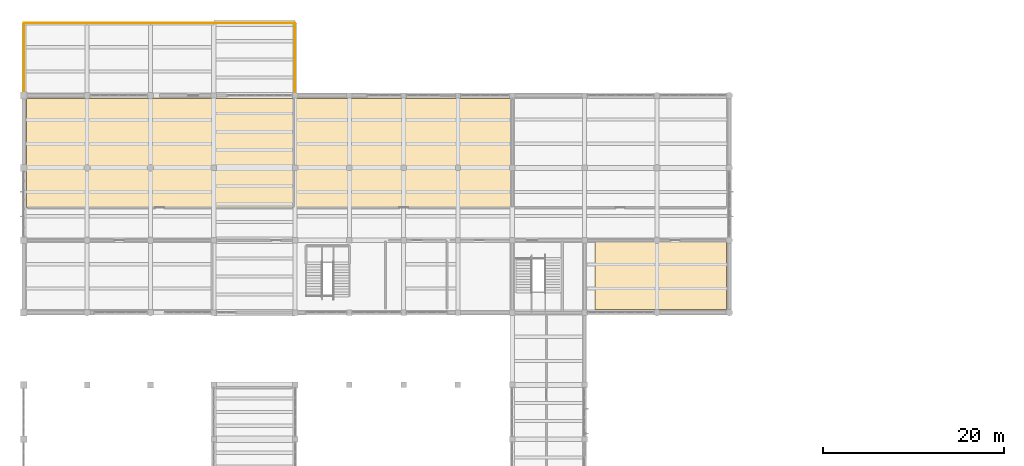
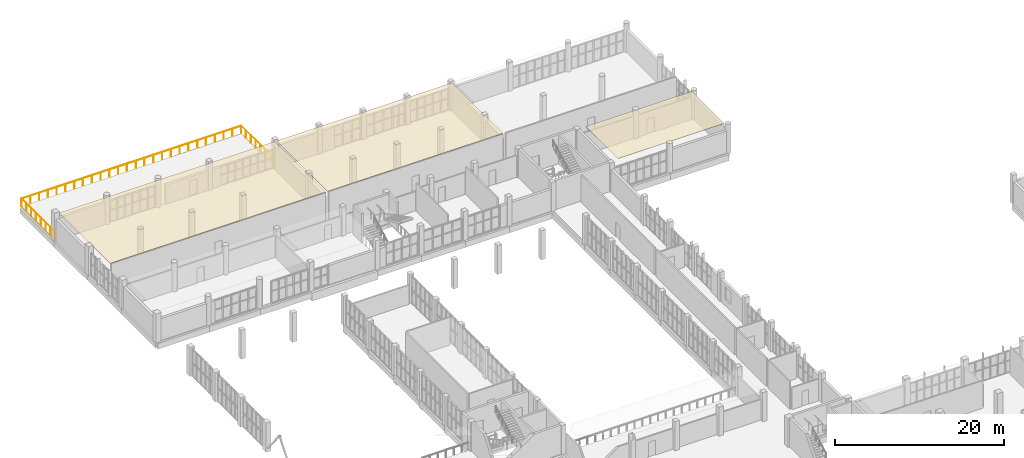
# One storey, part 83 of 85: 3 coverings, 1 railing.
"""IFC4 building model written with IfcOpenShell, lengths in metres."""

from ifc_helpers import new_model, si_unit, direction, frame, origin, origin_2d, place, context, subcontext, project, spatial, polyline, circle, outline, extrude, material, layer, layer_set, type_object, element, save


model = new_model("IFC4")

# Units and contexts
model_context = context("Model", 3, precision=1e-05, world=origin(), true_north=direction((0.0, 1.0)))
body_context = subcontext(model_context, "Body", "Model", "MODEL_VIEW")
ifc_project = project(units=[si_unit("LENGTHUNIT", "METRE"), si_unit("AREAUNIT", "SQUARE_METRE"), si_unit("VOLUMEUNIT", "CUBIC_METRE"), si_unit("PLANEANGLEUNIT", "RADIAN"), si_unit("MASSUNIT", "GRAM", prefix="KILO")], contexts=[model_context])

# Site, building, storey
site_placement = place(None, origin())
site = spatial("IfcSite", under=ifc_project, at=site_placement, CompositionType="ELEMENT")
building_placement = place(site_placement, origin())
building = spatial("IfcBuilding", under=site, at=building_placement, Name="Solvane Community Centre", CompositionType="ELEMENT")
storey_placement = place(building_placement, frame((0.0, 0.0, 5.39990234375)))
storey = spatial("IfcBuildingStorey", under=building, at=storey_placement, Name="L01", CompositionType="ELEMENT", Elevation=5.39990234375)

# Coverings
ifc_material_1 = material(Name="Acoustic timber slat ceiling", Category="wood")
ifc_layer = layer(ifc_material_1, 0.0400390625)
ifc_layer_set = layer_set([ifc_layer], Name="Acoustic timber slat ceiling")
covering_type = type_object("IfcCoveringType", Name="Acoustic Timber Slat Suspended Ceiling", PredefinedType="CEILING", material=ifc_layer_set)
covering_1_placement = place(storey_placement, frame((0.0, 0.0, 3.955078125)))
element("IfcCovering", 1, at=covering_1_placement, inside=storey, type_object=covering_type, Name="Acoustic Ceiling L01-38", PredefinedType="CEILING", context=body_context, shape_type="SweptSolid", body=[
    extrude(outline(polyline([(83.679931640625, 93.97998046875), (83.679931640625, 86.320068359375), (69.159912109375, 86.320068359375), (69.159912109375, 93.97998046875), (83.679931640625, 93.97998046875)])), origin(), (0.0, 0.0, 1.0), 0.0400390625),
])
covering_2_placement = place(storey_placement, frame((0.0, 0.0, 3.955078125)))
element("IfcCovering", 2, at=covering_2_placement, inside=storey, type_object=covering_type, Name="Acoustic Ceiling L01-39", PredefinedType="CEILING", context=body_context, shape_type="SweptSolid", body=[
    extrude(outline(polyline([(6.320068359375, 97.6201171875), (6.320068359375, 109.679931640625), (35.780029296875, 109.679931640625), (35.780029296875, 97.6201171875), (6.320068359375, 97.6201171875)])), origin(), (0.0, 0.0, 1.0), 0.0400390625),
])
covering_3_placement = place(storey_placement, frame((0.0, 0.0, 3.955078125)))
element("IfcCovering", 3, at=covering_3_placement, inside=storey, type_object=covering_type, Name="Acoustic Ceiling L01-40", PredefinedType="CEILING", context=body_context, shape_type="SweptSolid", body=[
    extrude(outline(polyline([(36.02001953125, 97.6201171875), (36.02001953125, 109.679931640625), (59.97998046875, 109.679931640625), (59.97998046875, 97.6201171875), (36.02001953125, 97.6201171875)])), origin(), (0.0, 0.0, 1.0), 0.0400390625),
])

# Railing
ifc_material_2 = material(Name="Anodised bronze aluminium AW-6063 T6", Category="aluminium")
railing_type = type_object("IfcRailingType", Name="Terrace Art Deco Guard Balustrade 1150mm", PredefinedType="BALUSTRADE", material=ifc_material_2)
railing_placement = place(storey_placement, frame((6.0, 110.0, 0.0)))
element("IfcRailing", 4, at=railing_placement, inside=storey, type_object=railing_type, Name="Terrace Guard GRD-TER-001", PredefinedType="BALUSTRADE", context=body_context, shape_type="SweptSolid", body=[
    extrude(circle(Radius=0.02392578125, at=origin_2d()), frame((0.0, 0.0, 1.1259765625), z_axis=(0.0, 1.0, 0.0), x_axis=(-1.0, 0.0, 0.0)), (0.0, 0.0, 1.0), 8.0),
    extrude(circle(Radius=0.02392578125, at=origin_2d()), frame((0.0, 8.0, 1.1259765625), z_axis=(1.0, 0.0, 0.0), x_axis=(0.0, 1.0, 0.0)), (0.0, 0.0, 1.0), 30.0),
    extrude(circle(Radius=0.02392578125, at=origin_2d()), frame((30.0, 8.0, 1.1259765625), z_axis=(0.0, -1.0, 0.0), x_axis=(1.0, 0.0, 0.0)), (0.0, 0.0, 1.0), 8.0),
    extrude(circle(Radius=0.02099609375, at=origin_2d()), origin(), (0.0, 0.0, 1.0), 1.101806640625),
    extrude(circle(Radius=0.02099609375, at=origin_2d()), frame((0.0, 1.142822265625, 0.0)), (0.0, 0.0, 1.0), 1.101806640625),
    extrude(circle(Radius=0.02099609375, at=origin_2d()), frame((0.0, 2.28564453125, 0.0)), (0.0, 0.0, 1.0), 1.101806640625),
    extrude(circle(Radius=0.02099609375, at=origin_2d()), frame((0.0, 3.428466796875, 0.0)), (0.0, 0.0, 1.0), 1.101806640625),
    extrude(circle(Radius=0.02099609375, at=origin_2d()), frame((0.0, 4.571533203125, 0.0)), (0.0, 0.0, 1.0), 1.101806640625),
    extrude(circle(Radius=0.02099609375, at=origin_2d()), frame((0.0, 5.71435546875, 0.0)), (0.0, 0.0, 1.0), 1.101806640625),
    extrude(circle(Radius=0.02099609375, at=origin_2d()), frame((0.0, 6.857177734375, 0.0)), (0.0, 0.0, 1.0), 1.101806640625),
    extrude(circle(Radius=0.02099609375, at=origin_2d()), frame((0.0, 8.0, 0.0)), (0.0, 0.0, 1.0), 1.101806640625),
    extrude(circle(Radius=0.02099609375, at=origin_2d()), frame((1.199951171875, 8.0, 0.0)), (0.0, 0.0, 1.0), 1.101806640625),
    extrude(circle(Radius=0.02099609375, at=origin_2d()), frame((2.39990234375, 8.0, 0.0)), (0.0, 0.0, 1.0), 1.101806640625),
    extrude(circle(Radius=0.02099609375, at=origin_2d()), frame((3.60009765625, 8.0, 0.0)), (0.0, 0.0, 1.0), 1.101806640625),
    extrude(circle(Radius=0.02099609375, at=origin_2d()), frame((4.800048828125, 8.0, 0.0)), (0.0, 0.0, 1.0), 1.101806640625),
    extrude(circle(Radius=0.02099609375, at=origin_2d()), frame((6.0, 8.0, 0.0)), (0.0, 0.0, 1.0), 1.101806640625),
    extrude(circle(Radius=0.02099609375, at=origin_2d()), frame((7.199951171875, 8.0, 0.0)), (0.0, 0.0, 1.0), 1.101806640625),
    extrude(circle(Radius=0.02099609375, at=origin_2d()), frame((8.39990234375, 8.0, 0.0)), (0.0, 0.0, 1.0), 1.101806640625),
    extrude(circle(Radius=0.02099609375, at=origin_2d()), frame((9.60009765625, 8.0, 0.0)), (0.0, 0.0, 1.0), 1.101806640625),
    extrude(circle(Radius=0.02099609375, at=origin_2d()), frame((10.800048828125, 8.0, 0.0)), (0.0, 0.0, 1.0), 1.101806640625),
    extrude(circle(Radius=0.02099609375, at=origin_2d()), frame((12.0, 8.0, 0.0)), (0.0, 0.0, 1.0), 1.101806640625),
    extrude(circle(Radius=0.02099609375, at=origin_2d()), frame((13.199951171875, 8.0, 0.0)), (0.0, 0.0, 1.0), 1.101806640625),
    extrude(circle(Radius=0.02099609375, at=origin_2d()), frame((14.39990234375, 8.0, 0.0)), (0.0, 0.0, 1.0), 1.101806640625),
    extrude(circle(Radius=0.02099609375, at=origin_2d()), frame((15.60009765625, 8.0, 0.0)), (0.0, 0.0, 1.0), 1.101806640625),
    extrude(circle(Radius=0.02099609375, at=origin_2d()), frame((16.800048828125, 8.0, 0.0)), (0.0, 0.0, 1.0), 1.101806640625),
    extrude(circle(Radius=0.02099609375, at=origin_2d()), frame((18.0, 8.0, 0.0)), (0.0, 0.0, 1.0), 1.101806640625),
    extrude(circle(Radius=0.02099609375, at=origin_2d()), frame((19.199951171875, 8.0, 0.0)), (0.0, 0.0, 1.0), 1.101806640625),
    extrude(circle(Radius=0.02099609375, at=origin_2d()), frame((20.39990234375, 8.0, 0.0)), (0.0, 0.0, 1.0), 1.101806640625),
    extrude(circle(Radius=0.02099609375, at=origin_2d()), frame((21.60009765625, 8.0, 0.0)), (0.0, 0.0, 1.0), 1.101806640625),
    extrude(circle(Radius=0.02099609375, at=origin_2d()), frame((22.800048828125, 8.0, 0.0)), (0.0, 0.0, 1.0), 1.101806640625),
    extrude(circle(Radius=0.02099609375, at=origin_2d()), frame((24.0, 8.0, 0.0)), (0.0, 0.0, 1.0), 1.101806640625),
    extrude(circle(Radius=0.02099609375, at=origin_2d()), frame((25.199951171875, 8.0, 0.0)), (0.0, 0.0, 1.0), 1.101806640625),
    extrude(circle(Radius=0.02099609375, at=origin_2d()), frame((26.39990234375, 8.0, 0.0)), (0.0, 0.0, 1.0), 1.101806640625),
    extrude(circle(Radius=0.02099609375, at=origin_2d()), frame((27.60009765625, 8.0, 0.0)), (0.0, 0.0, 1.0), 1.101806640625),
    extrude(circle(Radius=0.02099609375, at=origin_2d()), frame((28.800048828125, 8.0, 0.0)), (0.0, 0.0, 1.0), 1.101806640625),
    extrude(circle(Radius=0.02099609375, at=origin_2d()), frame((30.0, 8.0, 0.0)), (0.0, 0.0, 1.0), 1.101806640625),
    extrude(circle(Radius=0.02099609375, at=origin_2d()), frame((30.0, 6.857177734375, 0.0)), (0.0, 0.0, 1.0), 1.101806640625),
    extrude(circle(Radius=0.02099609375, at=origin_2d()), frame((30.0, 5.71435546875, 0.0)), (0.0, 0.0, 1.0), 1.101806640625),
    extrude(circle(Radius=0.02099609375, at=origin_2d()), frame((30.0, 4.571533203125, 0.0)), (0.0, 0.0, 1.0), 1.101806640625),
    extrude(circle(Radius=0.02099609375, at=origin_2d()), frame((30.0, 3.428466796875, 0.0)), (0.0, 0.0, 1.0), 1.101806640625),
    extrude(circle(Radius=0.02099609375, at=origin_2d()), frame((30.0, 2.28564453125, 0.0)), (0.0, 0.0, 1.0), 1.101806640625),
    extrude(circle(Radius=0.02099609375, at=origin_2d()), frame((30.0, 1.142822265625, 0.0)), (0.0, 0.0, 1.0), 1.101806640625),
    extrude(circle(Radius=0.02099609375, at=origin_2d()), frame((30.0, 0.0, 0.0)), (0.0, 0.0, 1.0), 1.101806640625),
])

save(model, "model.ifc")
